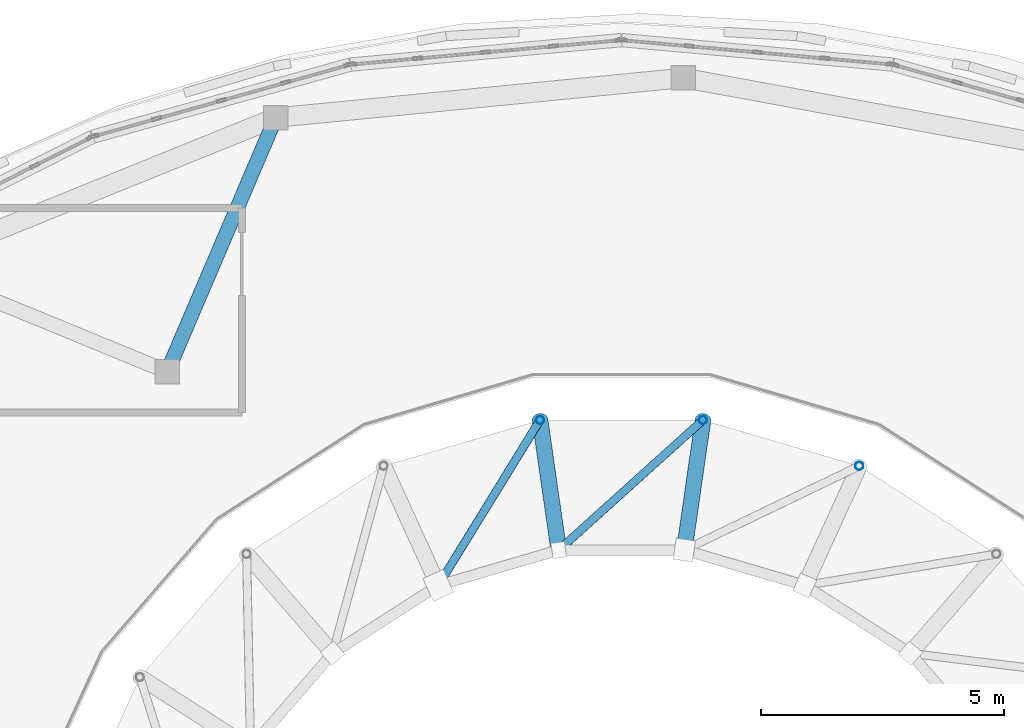
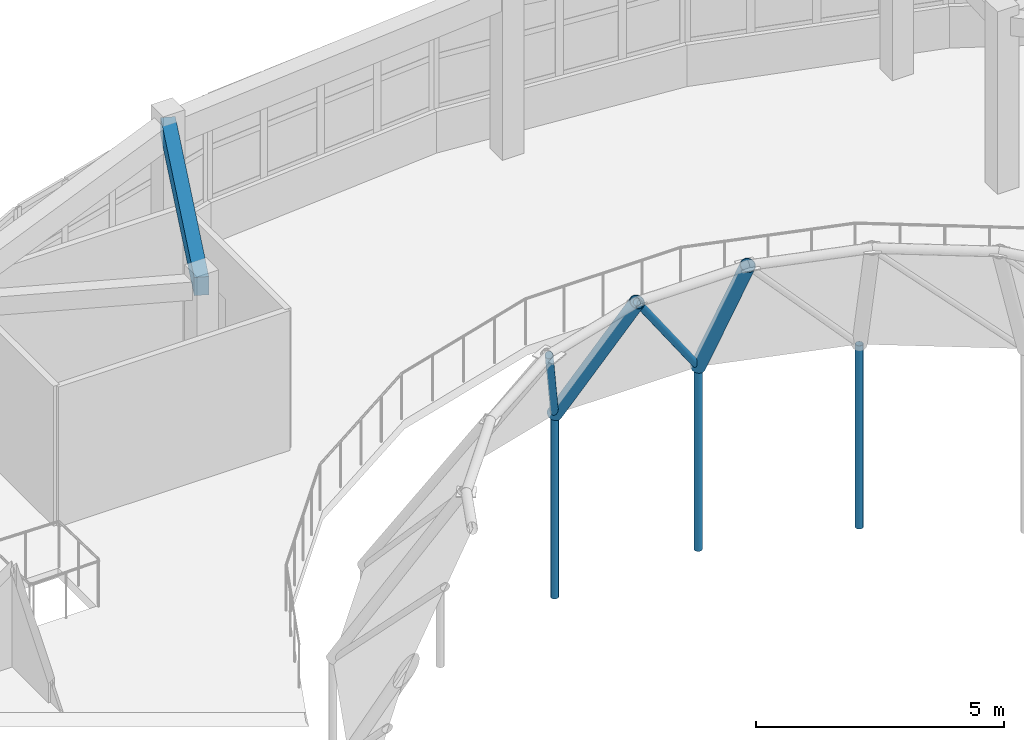
# One storey, part 23 of 38: 5 members, 3 beams.
"""IFC4 building model written with IfcOpenShell, lengths in metres."""

from ifc_helpers import new_model, si_unit, direction, frame, origin, origin_2d, place, context, subcontext, project, spatial, rectangle, hollow_circle, extrude, material, material_profile, profile_set, type_object, element, save


model = new_model("IFC4")

# Units and contexts
model_context = context("Model", 3, precision=1e-05, world=origin(), true_north=direction((0.0, 1.0)))
body_context = subcontext(model_context, "Body", "Model", "MODEL_VIEW")
ifc_project = project(units=[si_unit("LENGTHUNIT", "METRE"), si_unit("AREAUNIT", "SQUARE_METRE"), si_unit("VOLUMEUNIT", "CUBIC_METRE"), si_unit("PLANEANGLEUNIT", "RADIAN"), si_unit("MASSUNIT", "GRAM", prefix="KILO")], contexts=[model_context])

# Site, building, storey
site_placement = place(None, origin())
site = spatial("IfcSite", under=ifc_project, at=site_placement, CompositionType="ELEMENT")
building_placement = place(site_placement, origin())
building = spatial("IfcBuilding", under=site, at=building_placement, Name="Pelvatis Terrace Science Centre", CompositionType="ELEMENT")
storey_placement = place(building_placement, frame((0.0, 0.0, 24.300048828125)))
storey = spatial("IfcBuildingStorey", under=building, at=storey_placement, Name="L05", CompositionType="ELEMENT", Elevation=24.300048828125)

# Beams
ifc_material_1 = material(Name="Structural steel S355", Category="steel")
ifc_material_profile_1 = material_profile(ifc_material_1, hollow_circle(Radius=0.161865234375, WallThickness=0.012451171875, at=origin_2d()), Name="CHS 323.9x12.5")
ifc_profile_set_1 = profile_set([ifc_material_profile_1], Name="Structural steel S355")
beam_type_1 = type_object("IfcBeamType", Name="BM-DOME-CHS324", PredefinedType="BEAM", material=ifc_profile_set_1)
for number, where, z_axis, x_axis, name in (
    (1, (110.8740234375, 97.443359375, -1.1845703125), (-0.076438862996, -0.531816221631, 0.843402991834), (0.989827934103, -0.142269676566, 0.0), "Planetarium meridional dome rib 06.2"),
    (2, (107.52587890625, 97.443359375, -1.1845703125), (0.076487173113, -0.531814245586, 0.84339985804), (0.989815193637, 0.142358288997, 0.0), "Planetarium meridional dome rib 07.2"),
):
    element("IfcBeam", number, at=place(storey_placement, frame(where, z_axis=z_axis, x_axis=x_axis)), inside=storey, type_object=beam_type_1, Name=name, PredefinedType="BEAM", context=body_context, shape_type="SweptSolid", body=[
        extrude(hollow_circle(Radius=0.161865234375, WallThickness=0.012451171875, at=origin_2d()), origin(), (0.0, 0.0, 1.0), 5.024169921875),
    ])
ifc_material_2 = material(Name="Concrete C35/45", Category="concrete")
ifc_material_profile_2 = material_profile(ifc_material_2, rectangle(XDim=0.300048828125, YDim=0.449951171875, at=origin_2d()), Name="RC-BM 300x450")
ifc_profile_set_2 = profile_set([ifc_material_profile_2], Name="Concrete C35/45")
beam_type_2 = type_object("IfcBeamType", Name="BM-RC-300x450", PredefinedType="BEAM", material=ifc_profile_set_2)
beam_placement = place(storey_placement, frame((102.095458984375, 103.65673828125, 4.034912109375), z_axis=(-0.392802627851, -0.919622800692, 0.0), x_axis=(0.919622800692, -0.392802627851, 0.0)))
element("IfcBeam", 3, at=beam_placement, inside=storey, type_object=beam_type_2, Name="Beam BM-L05-3127", PredefinedType="BEAM", context=body_context, shape_type="SweptSolid", body=[
    extrude(rectangle(XDim=0.300048828125, YDim=0.449951171875, at=origin_2d()), origin(), (0.0, 0.0, 1.0), 5.674560546875),
])

# Members
ifc_material_3 = material(Name="Structural steel S355", Category="steel")
ifc_material_profile_3 = material_profile(ifc_material_3, hollow_circle(Radius=0.084228515625, WallThickness=0.00634765625, at=origin_2d()), Name="CHS 168.3x6.3")
ifc_profile_set_3 = profile_set([ifc_material_profile_3], Name="Structural steel S355")
member_type_1 = type_object("IfcMemberType", Name="MEM-BRC-CHS168", PredefinedType="BRACE", material=ifc_profile_set_3)
for number, where, z_axis, x_axis, name in (
    (4, (110.8740234375, 97.443359375, -1.1845703125), (-0.509212118323, -0.459045916221, 0.727997160265), (0.669572944678, -0.742746303764, 0.0), "Planetarium dome lateral brace 2.06"),
    (5, (107.52587890625, 97.443359375, -1.1845703125), (-0.359257934046, -0.583914734368, 0.727995411945), (0.851706628031, -0.524018911651, 0.0), "Planetarium dome lateral brace 2.07"),
):
    element("IfcMember", number, at=place(storey_placement, frame(where, z_axis=z_axis, x_axis=x_axis)), inside=storey, type_object=member_type_1, Name=name, PredefinedType="BRACE", context=body_context, shape_type="SweptSolid", body=[
        extrude(hollow_circle(Radius=0.084228515625, WallThickness=0.00634765625, at=origin_2d()), origin(), (0.0, 0.0, 1.0), 5.820556640625),
    ])
ifc_material_4 = material(Name="Structural steel S355", Category="steel")
ifc_material_profile_4 = material_profile(ifc_material_4, hollow_circle(Radius=0.084228515625, WallThickness=0.00634765625, at=origin_2d()), Name="CHS 168.3x6.3")
ifc_profile_set_4 = profile_set([ifc_material_profile_4], Name="Structural steel S355")
member_type_2 = type_object("IfcMemberType", Name="MEM-STR-CHS168", PredefinedType="STRUT", material=ifc_profile_set_4)
for number, where, z_axis, x_axis, name in (
    (6, (114.086669921875, 96.5, -5.699951171875), (0.0, 0.0, 1.0), (1.0, 0.0, 0.0), "Dome arch vertical web post 1.05"),
    (7, (110.8740234375, 97.443359375, -5.699951171875), (0.0, 0.0, 1.0), (1.0, 0.0, 0.0), "Dome arch vertical web post 1.06"),
    (8, (107.52587890625, 97.443359375, -5.699951171875), (0.0, 0.0, 1.0), (1.0, 0.0, 0.0), "Dome arch vertical web post 1.07"),
):
    element("IfcMember", number, at=place(storey_placement, frame(where, z_axis=z_axis, x_axis=x_axis)), inside=storey, type_object=member_type_2, Name=name, PredefinedType="STRUT", context=body_context, shape_type="SweptSolid", body=[
        extrude(hollow_circle(Radius=0.084228515625, WallThickness=0.00634765625, at=origin_2d()), origin(), (0.0, 0.0, 1.0), 4.515380859375),
    ])

save(model, "model.ifc")
